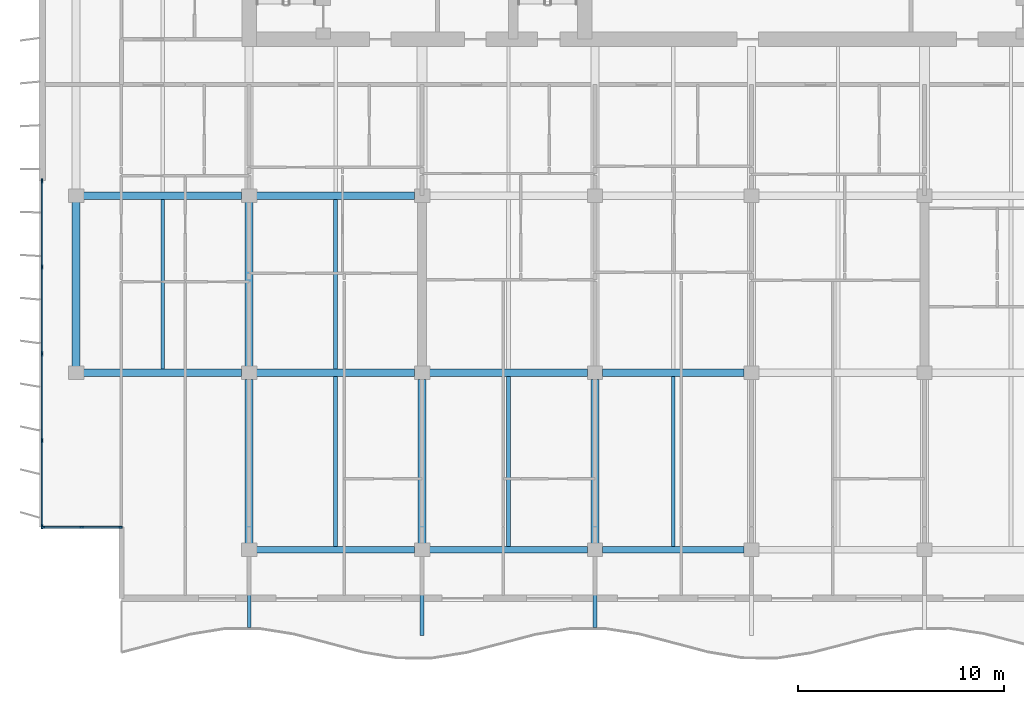
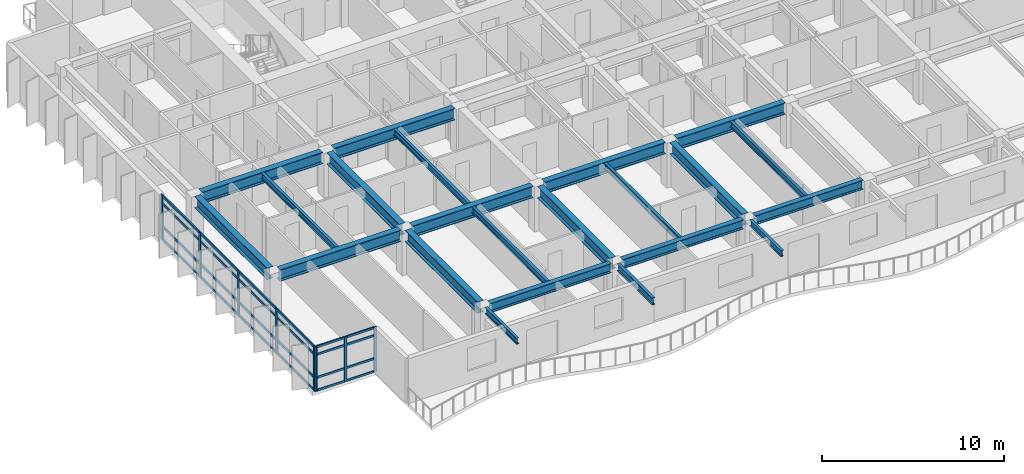
# One storey, part 2 of 16: 32 members, 22 beams, 2 elements without a shape of their own.
"""IFC4 building model written with IfcOpenShell, lengths in metres."""

from ifc_helpers import new_model, si_unit, direction, frame, origin, origin_2d, place, context, subcontext, project, spatial, rectangle, i_section, extrude, material, layer, layer_set, material_profile, profile_set, type_object, element, aggregate, save


model = new_model("IFC4")

# Units and contexts
model_context = context("Model", 3, precision=1e-05, world=origin(), true_north=direction((0.0, 1.0)))
body_context = subcontext(model_context, "Body", "Model", "MODEL_VIEW")
ifc_project = project(units=[si_unit("LENGTHUNIT", "METRE"), si_unit("AREAUNIT", "SQUARE_METRE"), si_unit("VOLUMEUNIT", "CUBIC_METRE"), si_unit("PLANEANGLEUNIT", "RADIAN"), si_unit("MASSUNIT", "GRAM", prefix="KILO")], contexts=[model_context])

# Site, building, storey
site_placement = place(None, origin())
site = spatial("IfcSite", under=ifc_project, at=site_placement, CompositionType="ELEMENT")
building_placement = place(site_placement, origin())
building = spatial("IfcBuilding", under=site, at=building_placement, Name="Caelmar Bay Residences", CompositionType="ELEMENT")
storey_placement = place(building_placement, frame((0.0, 0.0, 266.10009765625)))
storey = spatial("IfcBuildingStorey", under=building, at=storey_placement, Name="L75", CompositionType="ELEMENT", Elevation=266.10009765625)

# Beams
ifc_material_1 = material(Name="Steel ASTM A992 Grade 50", Category="steel")
ifc_material_profile_1 = material_profile(ifc_material_1, i_section(OverallWidth=0.177978515625, OverallDepth=0.406005859375, WebThickness=0.0078125, FlangeThickness=0.0126953125, FilletRadius=0.0087890625, at=origin_2d()), Name="W16X40")
ifc_profile_set_1 = profile_set([ifc_material_profile_1], Name="Steel ASTM A992 Grade 50")
beam_type_1 = type_object("IfcBeamType", Name="BM-BAL-W16X40", PredefinedType="JOIST", material=ifc_profile_set_1)
for number, where, z_axis, x_axis, name in (
    (1, (22.5, 12.362548828125, 2.796875), (0.0, 1.0, 0.0), (-1.0, 0.0, 0.0), "L75 Composite Floor Joist 1"),
    (2, (30.89990234375, 12.362548828125, 2.796875), (0.0, 1.0, 0.0), (-1.0, 0.0, 0.0), "L75 Composite Floor Joist 2"),
    (3, (38.89990234375, 12.362548828125, 2.796875), (0.0, 1.0, 0.0), (-1.0, 0.0, 0.0), "L75 Composite Floor Joist 3"),
):
    element("IfcBeam", number, at=place(storey_placement, frame(where, z_axis=z_axis, x_axis=x_axis)), inside=storey, type_object=beam_type_1, Name=name, PredefinedType="JOIST", context=body_context, shape_type="SweptSolid", body=[
        extrude(i_section(OverallWidth=0.177978515625, OverallDepth=0.406005859375, WebThickness=0.0078125, FlangeThickness=0.0126953125, FilletRadius=0.0087890625, at=origin_2d()), origin(), (0.0, 0.0, 1.0), 8.2470703125),
    ])
for number, where, z_axis, x_axis, name in (
    (4, (14.10009765625, 20.990478515625, 2.796875), (0.0, 1.0, 0.0), (-1.0, 0.0, 0.0), "L75 Composite Floor Joist 6"),
    (5, (22.5, 20.990478515625, 2.796875), (0.0, 1.0, 0.0), (-1.0, 0.0, 0.0), "L75 Composite Floor Joist 7"),
):
    element("IfcBeam", number, at=place(storey_placement, frame(where, z_axis=z_axis, x_axis=x_axis)), inside=storey, type_object=beam_type_1, Name=name, PredefinedType="JOIST", context=body_context, shape_type="SweptSolid", body=[
        extrude(i_section(OverallWidth=0.177978515625, OverallDepth=0.406005859375, WebThickness=0.0078125, FlangeThickness=0.0126953125, FilletRadius=0.0087890625, at=origin_2d()), origin(), (0.0, 0.0, 1.0), 8.218994140625),
    ])
for number, where, z_axis, x_axis, name in (
    (6, (18.300048828125, 11.885009765625, 2.796875), (0.0, -1.0, 0.0), (1.0, 0.0, 0.0), "L76 South Balcony Cantilever Bracket 1"),
    (7, (35.10009765625, 11.885009765625, 2.796875), (0.0, -1.0, 0.0), (1.0, 0.0, 0.0), "L76 South Balcony Cantilever Bracket 3"),
):
    element("IfcBeam", number, at=place(storey_placement, frame(where, z_axis=z_axis, x_axis=x_axis)), inside=storey, type_object=beam_type_1, Name=name, PredefinedType="JOIST", context=body_context, shape_type="SweptSolid", body=[
        extrude(i_section(OverallWidth=0.177978515625, OverallDepth=0.406005859375, WebThickness=0.0078125, FlangeThickness=0.0126953125, FilletRadius=0.0087890625, at=origin_2d()), origin(), (0.0, 0.0, 1.0), 3.449951171875),
    ])
ifc_material_profile_2 = material_profile(ifc_material_1, i_section(OverallWidth=0.193115234375, OverallDepth=0.467041015625, WebThickness=0.011474609375, FlangeThickness=0.01904296875, FilletRadius=0.01025390625, at=origin_2d()), Name="W18X65")
ifc_profile_set_2 = profile_set([ifc_material_profile_2], Name="Steel ASTM A992 Grade 50")
beam_type_2 = type_object("IfcBeamType", Name="BM-BAL-W18X65", PredefinedType="BEAM", material=ifc_profile_set_2)
beam_1_placement = place(storey_placement, frame((26.699951171875, 11.885009765625, 2.766357421875), z_axis=(0.0, -1.0, 0.0), x_axis=(1.0, 0.0, 0.0)))
element("IfcBeam", 8, at=beam_1_placement, inside=storey, type_object=beam_type_2, Name="L76 South Balcony Cantilever Bracket 2", PredefinedType="BEAM", context=body_context, shape_type="SweptSolid", body=[
    extrude(i_section(OverallWidth=0.193115234375, OverallDepth=0.467041015625, WebThickness=0.011474609375, FlangeThickness=0.01904296875, FilletRadius=0.01025390625, at=origin_2d()), origin(), (0.0, 0.0, 1.0), 3.85009765625),
])
ifc_material_profile_3 = material_profile(ifc_material_1, i_section(OverallWidth=0.381103515625, OverallDepth=0.77197265625, WebThickness=0.0166015625, FlangeThickness=0.027099609375, FilletRadius=0.0166015625, at=origin_2d()), Name="W30X173")
ifc_profile_set_3 = profile_set([ifc_material_profile_3], Name="Steel ASTM A992 Grade 50")
beam_type_3 = type_object("IfcBeamType", Name="BM-GRD-W30X173", PredefinedType="BEAM", material=ifc_profile_set_3)
beam_2_placement = place(storey_placement, frame((10.264892578125, 20.800048828125, 2.614013671875), z_axis=(1.0, 0.0, 0.0), x_axis=(0.0, 1.0, 0.0)))
element("IfcBeam", 9, at=beam_2_placement, inside=storey, type_object=beam_type_3, Name="L75 East-West Girder Y=20.80 (9.9-18.3)", PredefinedType="BEAM", context=body_context, shape_type="SweptSolid", body=[
    extrude(i_section(OverallWidth=0.381103515625, OverallDepth=0.77197265625, WebThickness=0.0166015625, FlangeThickness=0.027099609375, FilletRadius=0.0166015625, at=origin_2d()), origin(), (0.0, 0.0, 1.0), 7.670166015625),
])
beam_3_placement = place(storey_placement, frame((18.6650390625, 20.800048828125, 2.614013671875), z_axis=(1.0, 0.0, 0.0), x_axis=(0.0, 1.0, 0.0)))
element("IfcBeam", 10, at=beam_3_placement, inside=storey, type_object=beam_type_3, Name="L75 East-West Girder Y=20.80 (18.3-26.7)", PredefinedType="BEAM", context=body_context, shape_type="SweptSolid", body=[
    extrude(i_section(OverallWidth=0.381103515625, OverallDepth=0.77197265625, WebThickness=0.0166015625, FlangeThickness=0.027099609375, FilletRadius=0.0166015625, at=origin_2d()), origin(), (0.0, 0.0, 1.0), 7.669921875),
])
beam_4_placement = place(storey_placement, frame((27.06494140625, 20.800048828125, 2.614013671875), z_axis=(1.0, 0.0, 0.0), x_axis=(0.0, 1.0, 0.0)))
element("IfcBeam", 11, at=beam_4_placement, inside=storey, type_object=beam_type_3, Name="L75 East-West Girder Y=20.80 (26.7-35.1)", PredefinedType="BEAM", context=body_context, shape_type="SweptSolid", body=[
    extrude(i_section(OverallWidth=0.381103515625, OverallDepth=0.77197265625, WebThickness=0.0166015625, FlangeThickness=0.027099609375, FilletRadius=0.0166015625, at=origin_2d()), origin(), (0.0, 0.0, 1.0), 7.670166015625),
])
beam_5_placement = place(storey_placement, frame((35.465087890625, 20.800048828125, 2.614013671875), z_axis=(1.0, 0.0, 0.0), x_axis=(0.0, 1.0, 0.0)))
element("IfcBeam", 12, at=beam_5_placement, inside=storey, type_object=beam_type_3, Name="L75 East-West Girder Y=20.80 (35.1-42.7)", PredefinedType="BEAM", context=body_context, shape_type="SweptSolid", body=[
    extrude(i_section(OverallWidth=0.381103515625, OverallDepth=0.77197265625, WebThickness=0.0166015625, FlangeThickness=0.027099609375, FilletRadius=0.0166015625, at=origin_2d()), origin(), (0.0, 0.0, 1.0), 6.869873046875),
])
beam_6_placement = place(storey_placement, frame((10.264892578125, 29.39990234375, 2.614013671875), z_axis=(1.0, 0.0, 0.0), x_axis=(0.0, 1.0, 0.0)))
element("IfcBeam", 13, at=beam_6_placement, inside=storey, type_object=beam_type_3, Name="L75 East-West Girder Y=29.40 (9.9-18.3)", PredefinedType="BEAM", context=body_context, shape_type="SweptSolid", body=[
    extrude(i_section(OverallWidth=0.381103515625, OverallDepth=0.77197265625, WebThickness=0.0166015625, FlangeThickness=0.027099609375, FilletRadius=0.0166015625, at=origin_2d()), origin(), (0.0, 0.0, 1.0), 7.670166015625),
])
beam_7_placement = place(storey_placement, frame((18.6650390625, 29.39990234375, 2.614013671875), z_axis=(1.0, 0.0, 0.0), x_axis=(0.0, 1.0, 0.0)))
element("IfcBeam", 14, at=beam_7_placement, inside=storey, type_object=beam_type_3, Name="L75 East-West Girder Y=29.40 (18.3-26.7)", PredefinedType="BEAM", context=body_context, shape_type="SweptSolid", body=[
    extrude(i_section(OverallWidth=0.381103515625, OverallDepth=0.77197265625, WebThickness=0.0166015625, FlangeThickness=0.027099609375, FilletRadius=0.0166015625, at=origin_2d()), origin(), (0.0, 0.0, 1.0), 7.669921875),
])
beam_8_placement = place(storey_placement, frame((9.89990234375, 21.114990234375, 2.614013671875), z_axis=(0.0, 1.0, 0.0), x_axis=(-1.0, 0.0, 0.0)))
element("IfcBeam", 15, at=beam_8_placement, inside=storey, type_object=beam_type_3, Name="L75 North-South Girder X=9.90 (20.8-29.4)", PredefinedType="BEAM", context=body_context, shape_type="SweptSolid", body=[
    extrude(i_section(OverallWidth=0.381103515625, OverallDepth=0.77197265625, WebThickness=0.0166015625, FlangeThickness=0.027099609375, FilletRadius=0.0166015625, at=origin_2d()), origin(), (0.0, 0.0, 1.0), 7.969970703125),
])
beam_9_placement = place(storey_placement, frame((18.300048828125, 12.514892578125, 2.614013671875), z_axis=(0.0, 1.0, 0.0), x_axis=(-1.0, 0.0, 0.0)))
element("IfcBeam", 16, at=beam_9_placement, inside=storey, type_object=beam_type_3, Name="L75 North-South Girder X=18.30 (12.2-20.8)", PredefinedType="BEAM", context=body_context, shape_type="SweptSolid", body=[
    extrude(i_section(OverallWidth=0.381103515625, OverallDepth=0.77197265625, WebThickness=0.0166015625, FlangeThickness=0.027099609375, FilletRadius=0.0166015625, at=origin_2d()), origin(), (0.0, 0.0, 1.0), 7.97021484375),
])
beam_10_placement = place(storey_placement, frame((18.300048828125, 21.114990234375, 2.614013671875), z_axis=(0.0, 1.0, 0.0), x_axis=(-1.0, 0.0, 0.0)))
element("IfcBeam", 17, at=beam_10_placement, inside=storey, type_object=beam_type_3, Name="L75 North-South Girder X=18.30 (20.8-29.4)", PredefinedType="BEAM", context=body_context, shape_type="SweptSolid", body=[
    extrude(i_section(OverallWidth=0.381103515625, OverallDepth=0.77197265625, WebThickness=0.0166015625, FlangeThickness=0.027099609375, FilletRadius=0.0166015625, at=origin_2d()), origin(), (0.0, 0.0, 1.0), 7.969970703125),
])
for number, where, z_axis, x_axis, name in (
    (18, (26.699951171875, 12.514892578125, 2.614013671875), (0.0, 1.0, 0.0), (-1.0, 0.0, 0.0), "L75 North-South Girder X=26.70 (12.2-20.8)"),
    (19, (35.10009765625, 12.514892578125, 2.614013671875), (0.0, 1.0, 0.0), (-1.0, 0.0, 0.0), "L75 North-South Girder X=35.10 (12.2-20.8)"),
):
    element("IfcBeam", number, at=place(storey_placement, frame(where, z_axis=z_axis, x_axis=x_axis)), inside=storey, type_object=beam_type_3, Name=name, PredefinedType="BEAM", context=body_context, shape_type="SweptSolid", body=[
        extrude(i_section(OverallWidth=0.381103515625, OverallDepth=0.77197265625, WebThickness=0.0166015625, FlangeThickness=0.027099609375, FilletRadius=0.0166015625, at=origin_2d()), origin(), (0.0, 0.0, 1.0), 7.97021484375),
    ])
ifc_material_profile_4 = material_profile(ifc_material_1, i_section(OverallWidth=0.324951171875, OverallDepth=0.616943359375, WebThickness=0.013916015625, FlangeThickness=0.021484375, FilletRadius=0.0126953125, at=origin_2d()), Name="W24X117")
ifc_profile_set_4 = profile_set([ifc_material_profile_4], Name="Steel ASTM A992 Grade 50")
beam_type_4 = type_object("IfcBeamType", Name="BM-SPN-W24X117", PredefinedType="SPANDREL", material=ifc_profile_set_4)
beam_11_placement = place(storey_placement, frame((18.6650390625, 12.199951171875, 2.69140625), z_axis=(1.0, 0.0, 0.0), x_axis=(0.0, 1.0, 0.0)))
element("IfcBeam", 20, at=beam_11_placement, inside=storey, type_object=beam_type_4, Name="L75 East-West Girder Y=12.20 (18.3-26.7)", PredefinedType="SPANDREL", context=body_context, shape_type="SweptSolid", body=[
    extrude(i_section(OverallWidth=0.324951171875, OverallDepth=0.616943359375, WebThickness=0.013916015625, FlangeThickness=0.021484375, FilletRadius=0.0126953125, at=origin_2d()), origin(), (0.0, 0.0, 1.0), 7.669921875),
])
beam_12_placement = place(storey_placement, frame((27.06494140625, 12.199951171875, 2.69140625), z_axis=(1.0, 0.0, 0.0), x_axis=(0.0, 1.0, 0.0)))
element("IfcBeam", 21, at=beam_12_placement, inside=storey, type_object=beam_type_4, Name="L75 East-West Girder Y=12.20 (26.7-35.1)", PredefinedType="SPANDREL", context=body_context, shape_type="SweptSolid", body=[
    extrude(i_section(OverallWidth=0.324951171875, OverallDepth=0.616943359375, WebThickness=0.013916015625, FlangeThickness=0.021484375, FilletRadius=0.0126953125, at=origin_2d()), origin(), (0.0, 0.0, 1.0), 7.670166015625),
])
beam_13_placement = place(storey_placement, frame((35.465087890625, 12.199951171875, 2.69140625), z_axis=(1.0, 0.0, 0.0), x_axis=(0.0, 1.0, 0.0)))
element("IfcBeam", 22, at=beam_13_placement, inside=storey, type_object=beam_type_4, Name="L75 East-West Girder Y=12.20 (35.1-42.7)", PredefinedType="SPANDREL", context=body_context, shape_type="SweptSolid", body=[
    extrude(i_section(OverallWidth=0.324951171875, OverallDepth=0.616943359375, WebThickness=0.013916015625, FlangeThickness=0.021484375, FilletRadius=0.0126953125, at=origin_2d()), origin(), (0.0, 0.0, 1.0), 6.869873046875),
])

# Curtain wall, members
ifc_material_2 = material(Name="Anodised bronze aluminium 6063-T6 and laminated glass", Category="aluminium")
ifc_layer_1 = layer(ifc_material_2, 0.179931640625)
ifc_layer_set_1 = layer_set([ifc_layer_1], Name="Anodised bronze aluminium 6063-T6 and laminated glass")
curtain_wall_type_1 = type_object("IfcCurtainWallType", Name="CW6-NTC", PredefinedType="NOTDEFINED", material=ifc_layer_set_1)
curtain_wall_1_placement = place(storey_placement, origin())
curtain_wall_1 = element("IfcCurtainWall", 23, at=curtain_wall_1_placement, inside=storey, type_object=curtain_wall_type_1, Name="CW6 curtain wall L75", PredefinedType="NOTDEFINED")
ifc_material_3 = material(Name="Anodised bronze aluminium 6063-T6", Category="aluminium")
ifc_material_profile_5 = material_profile(ifc_material_3, rectangle(XDim=0.080078125, YDim=0.179931640625, at=origin_2d()), Name="CWM-80X180")
ifc_profile_set_5 = profile_set([ifc_material_profile_5], Name="Anodised bronze aluminium 6063-T6")
member_type_1 = type_object("IfcMemberType", Name="CWM-180", PredefinedType="MULLION", material=ifc_profile_set_5)
member_1_placement = place(storey_placement, frame((8.2900390625, 13.300048828125, 0.0), z_axis=(0.0, 0.0, 1.0), x_axis=(0.0, 1.0, 0.0)))
member_1 = element("IfcMember", 24, at=member_1_placement, type_object=member_type_1, Name="CW6 mullion 1", PredefinedType="MULLION", context=body_context, shape_type="SweptSolid", body=[
    extrude(rectangle(XDim=0.080078125, YDim=0.179931640625, at=origin_2d()), origin(), (0.0, 0.0, 1.0), 3.0),
])
member_2_placement = place(storey_placement, frame((10.175048828125, 13.300048828125, 0.0), z_axis=(0.0, 0.0, 1.0), x_axis=(0.0, 1.0, 0.0)))
member_2 = element("IfcMember", 25, at=member_2_placement, type_object=member_type_1, Name="CW6 mullion 2", PredefinedType="MULLION", context=body_context, shape_type="SweptSolid", body=[
    extrude(rectangle(XDim=0.080078125, YDim=0.179931640625, at=origin_2d()), origin(), (0.0, 0.0, 1.0), 3.0),
])
member_3_placement = place(storey_placement, frame((12.06005859375, 13.300048828125, 0.0), z_axis=(0.0, 0.0, 1.0), x_axis=(0.0, 1.0, 0.0)))
member_3 = element("IfcMember", 26, at=member_3_placement, type_object=member_type_1, Name="CW6 mullion 3", PredefinedType="MULLION", context=body_context, shape_type="SweptSolid", body=[
    extrude(rectangle(XDim=0.080078125, YDim=0.179931640625, at=origin_2d()), origin(), (0.0, 0.0, 1.0), 3.0),
])

ifc_layer_2 = layer(ifc_material_2, 0.179931640625)
ifc_layer_set_2 = layer_set([ifc_layer_2], Name="Anodised bronze aluminium 6063-T6 and laminated glass")
curtain_wall_type_2 = type_object("IfcCurtainWallType", Name="CW5-Z4", PredefinedType="NOTDEFINED", material=ifc_layer_set_2)
curtain_wall_2_placement = place(storey_placement, origin())
curtain_wall_2 = element("IfcCurtainWall", 27, at=curtain_wall_2_placement, inside=storey, type_object=curtain_wall_type_2, Name="CW5 curtain wall L75", PredefinedType="NOTDEFINED")
ifc_material_profile_6 = material_profile(ifc_material_3, rectangle(XDim=0.080078125, YDim=0.219970703125, at=origin_2d()), Name="CWM-80X220")
ifc_profile_set_6 = profile_set([ifc_material_profile_6], Name="Anodised bronze aluminium 6063-T6")
member_type_2 = type_object("IfcMemberType", Name="CWM-220", PredefinedType="MULLION", material=ifc_profile_set_6)
member_4_placement = place(storey_placement, frame((8.25, 13.340087890625, 0.0), z_axis=(0.0, 0.0, 1.0), x_axis=(-1.0, 0.0, 0.0)))
member_4 = element("IfcMember", 28, at=member_4_placement, type_object=member_type_2, Name="CW5 mullion 1", PredefinedType="MULLION", context=body_context, shape_type="SweptSolid", body=[
    extrude(rectangle(XDim=0.080078125, YDim=0.219970703125, at=origin_2d()), origin(), (0.0, 0.0, 1.0), 3.0),
])
member_5_placement = place(storey_placement, frame((8.25, 17.512451171875, 0.0), z_axis=(0.0, 0.0, 1.0), x_axis=(-1.0, 0.0, 0.0)))
member_5 = element("IfcMember", 29, at=member_5_placement, type_object=member_type_2, Name="CW5 mullion 2", PredefinedType="MULLION", context=body_context, shape_type="SweptSolid", body=[
    extrude(rectangle(XDim=0.080078125, YDim=0.219970703125, at=origin_2d()), origin(), (0.0, 0.0, 1.0), 3.0),
])
member_6_placement = place(storey_placement, frame((8.25, 21.72509765625, 0.0), z_axis=(0.0, 0.0, 1.0), x_axis=(-1.0, 0.0, 0.0)))
member_6 = element("IfcMember", 30, at=member_6_placement, type_object=member_type_2, Name="CW5 mullion 3", PredefinedType="MULLION", context=body_context, shape_type="SweptSolid", body=[
    extrude(rectangle(XDim=0.080078125, YDim=0.219970703125, at=origin_2d()), origin(), (0.0, 0.0, 1.0), 3.0),
])
member_7_placement = place(storey_placement, frame((8.25, 25.9375, 0.0), z_axis=(0.0, 0.0, 1.0), x_axis=(-1.0, 0.0, 0.0)))
member_7 = element("IfcMember", 31, at=member_7_placement, type_object=member_type_2, Name="CW5 mullion 4", PredefinedType="MULLION", context=body_context, shape_type="SweptSolid", body=[
    extrude(rectangle(XDim=0.080078125, YDim=0.219970703125, at=origin_2d()), origin(), (0.0, 0.0, 1.0), 3.0),
])
member_8_placement = place(storey_placement, frame((8.25, 30.110107421875, 0.0), z_axis=(0.0, 0.0, 1.0), x_axis=(-1.0, 0.0, 0.0)))
member_8 = element("IfcMember", 32, at=member_8_placement, type_object=member_type_2, Name="CW5 mullion 5", PredefinedType="MULLION", context=body_context, shape_type="SweptSolid", body=[
    extrude(rectangle(XDim=0.080078125, YDim=0.219970703125, at=origin_2d()), origin(), (0.0, 0.0, 1.0), 3.0),
])

# Member
ifc_material_profile_7 = material_profile(ifc_material_3, rectangle(XDim=0.080078125, YDim=0.139892578125, at=origin_2d()), Name="CWT-80X140")
ifc_profile_set_7 = profile_set([ifc_material_profile_7], Name="Anodised bronze aluminium 6063-T6")
member_type_3 = type_object("IfcMemberType", Name="CWT-140", PredefinedType="NOTDEFINED", material=ifc_profile_set_7)
member_9_placement = place(storey_placement, frame((8.330078125, 13.300048828125, 0.039794921875), z_axis=(1.0, 0.0, 0.0), x_axis=(0.0, 1.0, 0.0)))
member_9 = element("IfcMember", 33, at=member_9_placement, type_object=member_type_3, Name="CW6 transom 1.1", ObjectType="TRANSOM", PredefinedType="USERDEFINED", context=body_context, shape_type="SweptSolid", body=[
    extrude(rectangle(XDim=0.080078125, YDim=0.139892578125, at=origin_2d()), origin(), (0.0, 0.0, 1.0), 1.804931640625),
])

member_10_placement = place(storey_placement, frame((8.330078125, 13.300048828125, 0.89990234375), z_axis=(1.0, 0.0, 0.0), x_axis=(0.0, 1.0, 0.0)))
member_10 = element("IfcMember", 34, at=member_10_placement, type_object=member_type_3, Name="CW6 transom 1.2", ObjectType="TRANSOM", PredefinedType="USERDEFINED", context=body_context, shape_type="SweptSolid", body=[
    extrude(rectangle(XDim=0.080078125, YDim=0.139892578125, at=origin_2d()), origin(), (0.0, 0.0, 1.0), 1.804931640625),
])

member_11_placement = place(storey_placement, frame((8.330078125, 13.300048828125, 2.449951171875), z_axis=(1.0, 0.0, 0.0), x_axis=(0.0, 1.0, 0.0)))
member_11 = element("IfcMember", 35, at=member_11_placement, type_object=member_type_3, Name="CW6 transom 1.3", ObjectType="TRANSOM", PredefinedType="USERDEFINED", context=body_context, shape_type="SweptSolid", body=[
    extrude(rectangle(XDim=0.080078125, YDim=0.139892578125, at=origin_2d()), origin(), (0.0, 0.0, 1.0), 1.804931640625),
])

member_12_placement = place(storey_placement, frame((8.330078125, 13.300048828125, 2.9599609375), z_axis=(1.0, 0.0, 0.0), x_axis=(0.0, 1.0, 0.0)))
member_12 = element("IfcMember", 36, at=member_12_placement, type_object=member_type_3, Name="CW6 transom 1.4", ObjectType="TRANSOM", PredefinedType="USERDEFINED", context=body_context, shape_type="SweptSolid", body=[
    extrude(rectangle(XDim=0.080078125, YDim=0.139892578125, at=origin_2d()), origin(), (0.0, 0.0, 1.0), 1.804931640625),
])

member_13_placement = place(storey_placement, frame((10.215087890625, 13.300048828125, 0.039794921875), z_axis=(1.0, 0.0, 0.0), x_axis=(0.0, 1.0, 0.0)))
member_13 = element("IfcMember", 37, at=member_13_placement, type_object=member_type_3, Name="CW6 transom 2.1", ObjectType="TRANSOM", PredefinedType="USERDEFINED", context=body_context, shape_type="SweptSolid", body=[
    extrude(rectangle(XDim=0.080078125, YDim=0.139892578125, at=origin_2d()), origin(), (0.0, 0.0, 1.0), 1.804931640625),
])

member_14_placement = place(storey_placement, frame((10.215087890625, 13.300048828125, 0.89990234375), z_axis=(1.0, 0.0, 0.0), x_axis=(0.0, 1.0, 0.0)))
member_14 = element("IfcMember", 38, at=member_14_placement, type_object=member_type_3, Name="CW6 transom 2.2", ObjectType="TRANSOM", PredefinedType="USERDEFINED", context=body_context, shape_type="SweptSolid", body=[
    extrude(rectangle(XDim=0.080078125, YDim=0.139892578125, at=origin_2d()), origin(), (0.0, 0.0, 1.0), 1.804931640625),
])

member_15_placement = place(storey_placement, frame((10.215087890625, 13.300048828125, 2.449951171875), z_axis=(1.0, 0.0, 0.0), x_axis=(0.0, 1.0, 0.0)))
member_15 = element("IfcMember", 39, at=member_15_placement, type_object=member_type_3, Name="CW6 transom 2.3", ObjectType="TRANSOM", PredefinedType="USERDEFINED", context=body_context, shape_type="SweptSolid", body=[
    extrude(rectangle(XDim=0.080078125, YDim=0.139892578125, at=origin_2d()), origin(), (0.0, 0.0, 1.0), 1.804931640625),
])

member_16_placement = place(storey_placement, frame((10.215087890625, 13.300048828125, 2.9599609375), z_axis=(1.0, 0.0, 0.0), x_axis=(0.0, 1.0, 0.0)))
member_16 = element("IfcMember", 40, at=member_16_placement, type_object=member_type_3, Name="CW6 transom 2.4", ObjectType="TRANSOM", PredefinedType="USERDEFINED", context=body_context, shape_type="SweptSolid", body=[
    extrude(rectangle(XDim=0.080078125, YDim=0.139892578125, at=origin_2d()), origin(), (0.0, 0.0, 1.0), 1.804931640625),
])

aggregate(curtain_wall_1, [member_1, member_2, member_3, member_9, member_10, member_11, member_12, member_13, member_14, member_15, member_16])

ifc_material_profile_8 = material_profile(ifc_material_3, rectangle(XDim=0.080078125, YDim=0.159912109375, at=origin_2d()), Name="CWT-80X160")
ifc_profile_set_8 = profile_set([ifc_material_profile_8], Name="Anodised bronze aluminium 6063-T6")
member_type_4 = type_object("IfcMemberType", Name="CWT-160", PredefinedType="NOTDEFINED", material=ifc_profile_set_8)
member_17_placement = place(storey_placement, frame((8.25, 13.3798828125, 0.039794921875), z_axis=(0.0, 1.0, 0.0), x_axis=(-1.0, 0.0, 0.0)))
member_17 = element("IfcMember", 41, at=member_17_placement, type_object=member_type_4, Name="CW5 transom 1.1", ObjectType="TRANSOM", PredefinedType="USERDEFINED", context=body_context, shape_type="SweptSolid", body=[
    extrude(rectangle(XDim=0.080078125, YDim=0.159912109375, at=origin_2d()), origin(), (0.0, 0.0, 1.0), 4.092529296875),
])

member_18_placement = place(storey_placement, frame((8.25, 13.3798828125, 0.89990234375), z_axis=(0.0, 1.0, 0.0), x_axis=(-1.0, 0.0, 0.0)))
member_18 = element("IfcMember", 42, at=member_18_placement, type_object=member_type_4, Name="CW5 transom 1.2", ObjectType="TRANSOM", PredefinedType="USERDEFINED", context=body_context, shape_type="SweptSolid", body=[
    extrude(rectangle(XDim=0.080078125, YDim=0.159912109375, at=origin_2d()), origin(), (0.0, 0.0, 1.0), 4.092529296875),
])

member_19_placement = place(storey_placement, frame((8.25, 13.3798828125, 2.449951171875), z_axis=(0.0, 1.0, 0.0), x_axis=(-1.0, 0.0, 0.0)))
member_19 = element("IfcMember", 43, at=member_19_placement, type_object=member_type_4, Name="CW5 transom 1.3", ObjectType="TRANSOM", PredefinedType="USERDEFINED", context=body_context, shape_type="SweptSolid", body=[
    extrude(rectangle(XDim=0.080078125, YDim=0.159912109375, at=origin_2d()), origin(), (0.0, 0.0, 1.0), 4.092529296875),
])

member_20_placement = place(storey_placement, frame((8.25, 13.3798828125, 2.9599609375), z_axis=(0.0, 1.0, 0.0), x_axis=(-1.0, 0.0, 0.0)))
member_20 = element("IfcMember", 44, at=member_20_placement, type_object=member_type_4, Name="CW5 transom 1.4", ObjectType="TRANSOM", PredefinedType="USERDEFINED", context=body_context, shape_type="SweptSolid", body=[
    extrude(rectangle(XDim=0.080078125, YDim=0.159912109375, at=origin_2d()), origin(), (0.0, 0.0, 1.0), 4.092529296875),
])

member_21_placement = place(storey_placement, frame((8.25, 17.552490234375, 0.039794921875), z_axis=(0.0, 1.0, 0.0), x_axis=(-1.0, 0.0, 0.0)))
member_21 = element("IfcMember", 45, at=member_21_placement, type_object=member_type_4, Name="CW5 transom 2.1", ObjectType="TRANSOM", PredefinedType="USERDEFINED", context=body_context, shape_type="SweptSolid", body=[
    extrude(rectangle(XDim=0.080078125, YDim=0.159912109375, at=origin_2d()), origin(), (0.0, 0.0, 1.0), 4.132568359375),
])

member_22_placement = place(storey_placement, frame((8.25, 17.552490234375, 0.89990234375), z_axis=(0.0, 1.0, 0.0), x_axis=(-1.0, 0.0, 0.0)))
member_22 = element("IfcMember", 46, at=member_22_placement, type_object=member_type_4, Name="CW5 transom 2.2", ObjectType="TRANSOM", PredefinedType="USERDEFINED", context=body_context, shape_type="SweptSolid", body=[
    extrude(rectangle(XDim=0.080078125, YDim=0.159912109375, at=origin_2d()), origin(), (0.0, 0.0, 1.0), 4.132568359375),
])

member_23_placement = place(storey_placement, frame((8.25, 17.552490234375, 2.449951171875), z_axis=(0.0, 1.0, 0.0), x_axis=(-1.0, 0.0, 0.0)))
member_23 = element("IfcMember", 47, at=member_23_placement, type_object=member_type_4, Name="CW5 transom 2.3", ObjectType="TRANSOM", PredefinedType="USERDEFINED", context=body_context, shape_type="SweptSolid", body=[
    extrude(rectangle(XDim=0.080078125, YDim=0.159912109375, at=origin_2d()), origin(), (0.0, 0.0, 1.0), 4.132568359375),
])

member_24_placement = place(storey_placement, frame((8.25, 17.552490234375, 2.9599609375), z_axis=(0.0, 1.0, 0.0), x_axis=(-1.0, 0.0, 0.0)))
member_24 = element("IfcMember", 48, at=member_24_placement, type_object=member_type_4, Name="CW5 transom 2.4", ObjectType="TRANSOM", PredefinedType="USERDEFINED", context=body_context, shape_type="SweptSolid", body=[
    extrude(rectangle(XDim=0.080078125, YDim=0.159912109375, at=origin_2d()), origin(), (0.0, 0.0, 1.0), 4.132568359375),
])

member_25_placement = place(storey_placement, frame((8.25, 21.764892578125, 0.039794921875), z_axis=(0.0, 1.0, 0.0), x_axis=(-1.0, 0.0, 0.0)))
member_25 = element("IfcMember", 49, at=member_25_placement, type_object=member_type_4, Name="CW5 transom 3.1", ObjectType="TRANSOM", PredefinedType="USERDEFINED", context=body_context, shape_type="SweptSolid", body=[
    extrude(rectangle(XDim=0.080078125, YDim=0.159912109375, at=origin_2d()), origin(), (0.0, 0.0, 1.0), 4.132568359375),
])

member_26_placement = place(storey_placement, frame((8.25, 21.764892578125, 0.89990234375), z_axis=(0.0, 1.0, 0.0), x_axis=(-1.0, 0.0, 0.0)))
member_26 = element("IfcMember", 50, at=member_26_placement, type_object=member_type_4, Name="CW5 transom 3.2", ObjectType="TRANSOM", PredefinedType="USERDEFINED", context=body_context, shape_type="SweptSolid", body=[
    extrude(rectangle(XDim=0.080078125, YDim=0.159912109375, at=origin_2d()), origin(), (0.0, 0.0, 1.0), 4.132568359375),
])

member_27_placement = place(storey_placement, frame((8.25, 21.764892578125, 2.449951171875), z_axis=(0.0, 1.0, 0.0), x_axis=(-1.0, 0.0, 0.0)))
member_27 = element("IfcMember", 51, at=member_27_placement, type_object=member_type_4, Name="CW5 transom 3.3", ObjectType="TRANSOM", PredefinedType="USERDEFINED", context=body_context, shape_type="SweptSolid", body=[
    extrude(rectangle(XDim=0.080078125, YDim=0.159912109375, at=origin_2d()), origin(), (0.0, 0.0, 1.0), 4.132568359375),
])

member_28_placement = place(storey_placement, frame((8.25, 21.764892578125, 2.9599609375), z_axis=(0.0, 1.0, 0.0), x_axis=(-1.0, 0.0, 0.0)))
member_28 = element("IfcMember", 52, at=member_28_placement, type_object=member_type_4, Name="CW5 transom 3.4", ObjectType="TRANSOM", PredefinedType="USERDEFINED", context=body_context, shape_type="SweptSolid", body=[
    extrude(rectangle(XDim=0.080078125, YDim=0.159912109375, at=origin_2d()), origin(), (0.0, 0.0, 1.0), 4.132568359375),
])

member_29_placement = place(storey_placement, frame((8.25, 25.9775390625, 0.039794921875), z_axis=(0.0, 1.0, 0.0), x_axis=(-1.0, 0.0, 0.0)))
member_29 = element("IfcMember", 53, at=member_29_placement, type_object=member_type_4, Name="CW5 transom 4.1", ObjectType="TRANSOM", PredefinedType="USERDEFINED", context=body_context, shape_type="SweptSolid", body=[
    extrude(rectangle(XDim=0.080078125, YDim=0.159912109375, at=origin_2d()), origin(), (0.0, 0.0, 1.0), 4.092529296875),
])

member_30_placement = place(storey_placement, frame((8.25, 25.9775390625, 0.89990234375), z_axis=(0.0, 1.0, 0.0), x_axis=(-1.0, 0.0, 0.0)))
member_30 = element("IfcMember", 54, at=member_30_placement, type_object=member_type_4, Name="CW5 transom 4.2", ObjectType="TRANSOM", PredefinedType="USERDEFINED", context=body_context, shape_type="SweptSolid", body=[
    extrude(rectangle(XDim=0.080078125, YDim=0.159912109375, at=origin_2d()), origin(), (0.0, 0.0, 1.0), 4.092529296875),
])

member_31_placement = place(storey_placement, frame((8.25, 25.9775390625, 2.449951171875), z_axis=(0.0, 1.0, 0.0), x_axis=(-1.0, 0.0, 0.0)))
member_31 = element("IfcMember", 55, at=member_31_placement, type_object=member_type_4, Name="CW5 transom 4.3", ObjectType="TRANSOM", PredefinedType="USERDEFINED", context=body_context, shape_type="SweptSolid", body=[
    extrude(rectangle(XDim=0.080078125, YDim=0.159912109375, at=origin_2d()), origin(), (0.0, 0.0, 1.0), 4.092529296875),
])

member_32_placement = place(storey_placement, frame((8.25, 25.9775390625, 2.9599609375), z_axis=(0.0, 1.0, 0.0), x_axis=(-1.0, 0.0, 0.0)))
member_32 = element("IfcMember", 56, at=member_32_placement, type_object=member_type_4, Name="CW5 transom 4.4", ObjectType="TRANSOM", PredefinedType="USERDEFINED", context=body_context, shape_type="SweptSolid", body=[
    extrude(rectangle(XDim=0.080078125, YDim=0.159912109375, at=origin_2d()), origin(), (0.0, 0.0, 1.0), 4.092529296875),
])

aggregate(curtain_wall_2, [member_4, member_5, member_6, member_7, member_8, member_17, member_18, member_19, member_20, member_21, member_22, member_23, member_24, member_25, member_26, member_27, member_28, member_29, member_30, member_31, member_32])

save(model, "model.ifc")
